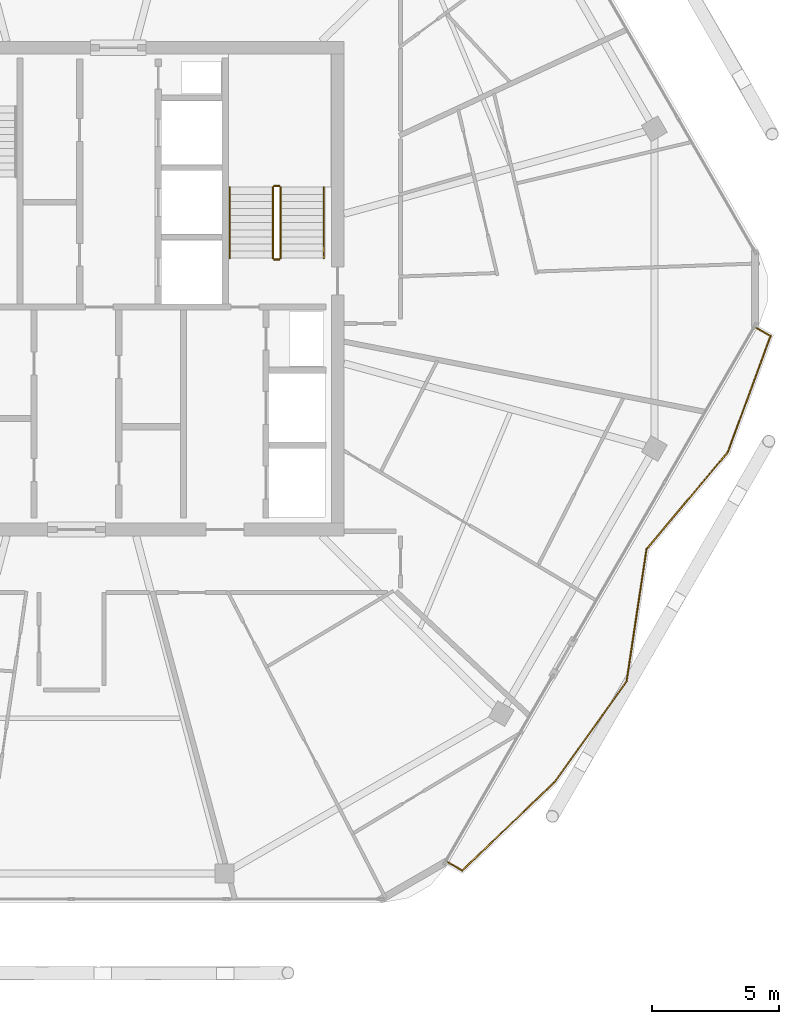
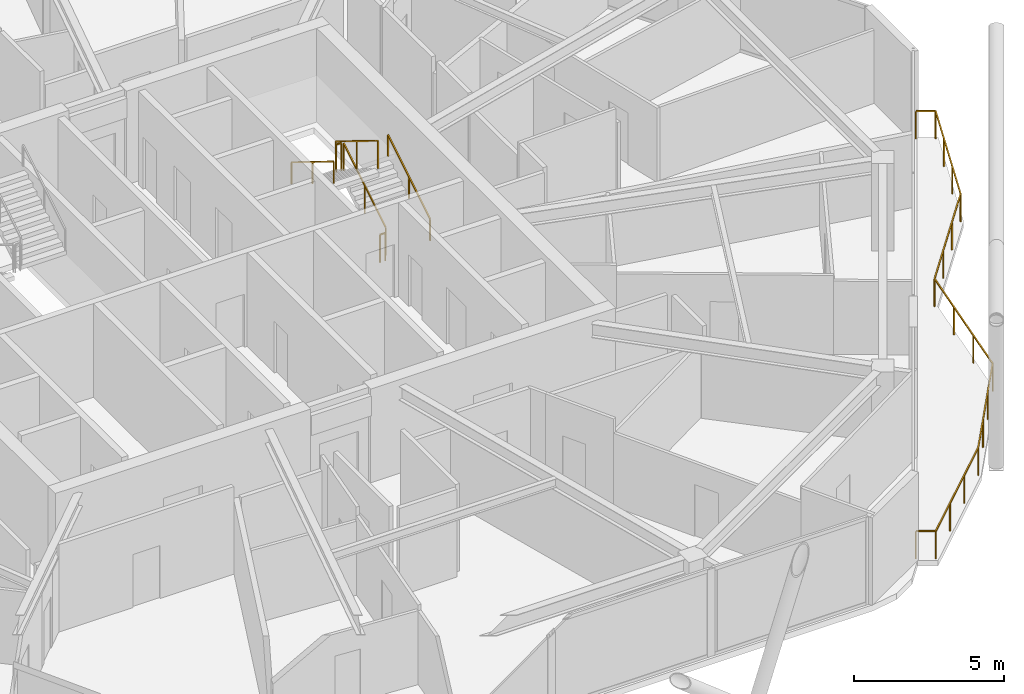
# One storey, part 23 of 24: 7 railings.
"""IFC4 building model written with IfcOpenShell, lengths in metres."""

from ifc_helpers import new_model, si_unit, direction, frame, origin, origin_2d, place, context, subcontext, project, spatial, rectangle, extrude, material, type_object, element, save


model = new_model("IFC4")

# Units and contexts
model_context = context("Model", 3, precision=1e-05, world=origin(), true_north=direction((0.0, 1.0)))
body_context = subcontext(model_context, "Body", "Model", "MODEL_VIEW")
ifc_project = project(units=[si_unit("LENGTHUNIT", "METRE"), si_unit("AREAUNIT", "SQUARE_METRE"), si_unit("VOLUMEUNIT", "CUBIC_METRE"), si_unit("PLANEANGLEUNIT", "RADIAN"), si_unit("MASSUNIT", "GRAM", prefix="KILO")], contexts=[model_context])

# Site, building, storey
site_placement = place(None, origin())
site = spatial("IfcSite", under=ifc_project, at=site_placement, CompositionType="ELEMENT")
building_placement = place(site_placement, origin())
building = spatial("IfcBuilding", under=site, at=building_placement, Name="Zuhravey Tower", CompositionType="ELEMENT")
storey_placement = place(building_placement, frame((0.0, 0.0, 338.60009765625)))
storey = spatial("IfcBuildingStorey", under=building, at=storey_placement, Name="L86", CompositionType="ELEMENT", Elevation=338.60009765625)

# Railings
ifc_material_1 = material(Name="Stainless steel 316 and laminated glass", Category="steel")
railing_type_1 = type_object("IfcRailingType", Name="Balcony & Terrace Guardrail 1150", PredefinedType="BALUSTRADE", material=ifc_material_1)
railing_1_placement = place(storey_placement, frame((63.006591796875, 30.45849609375, 0.0)))
element("IfcRailing", 1, at=railing_1_placement, inside=storey, type_object=railing_type_1, Name="L86 Face 6 Wave Balcony Guardrail GR1", PredefinedType="BALUSTRADE", context=body_context, shape_type="SweptSolid", body=[
    extrude(rectangle(XDim=0.048095703125, YDim=0.048095703125, at=origin_2d()), frame((0.001708984375, -0.0009765625, 1.1259765625), z_axis=(0.866011978186, -0.500023253097, 0.0), x_axis=(0.500023253097, 0.866011978186, 0.0)), (0.0, 0.0, 1.0), 0.651611328125),
    extrude(rectangle(XDim=0.048095703125, YDim=0.048095703125, at=origin_2d()), frame((0.567138671875, -0.329833984375, 1.1259765625), z_axis=(-0.345100004619, -0.938565920334, 0.0), x_axis=(0.938565920334, -0.345100004619, 0.0)), (0.0, 0.0, 1.0), 4.87451171875),
    extrude(rectangle(XDim=0.048095703125, YDim=0.048095703125, at=origin_2d()), frame((-1.116943359375, -4.908203125, 1.1259765625), z_axis=(-0.642465956821, -0.766314226884, 0.0), x_axis=(0.766314226884, -0.642465956821, 0.0)), (0.0, 0.0, 1.0), 4.9892578125),
    extrude(rectangle(XDim=0.048095703125, YDim=0.048095703125, at=origin_2d()), frame((-4.323974609375, -8.735107421875, 1.1259765625), z_axis=(-0.148808806895, -0.988865986365, 0.0), x_axis=(0.988865986365, -0.148808806895, 0.0)), (0.0, 0.0, 1.0), 5.272216796875),
    extrude(rectangle(XDim=0.048095703125, YDim=0.048095703125, at=origin_2d()), frame((-5.110107421875, -13.952392578125, 1.1259765625), z_axis=(-0.582138490766, -0.813089649159, 0.0), x_axis=(0.813089649159, -0.582138490766, 0.0)), (0.0, 0.0, 1.0), 4.8935546875),
    extrude(rectangle(XDim=0.048095703125, YDim=0.048095703125, at=origin_2d()), frame((-7.96142578125, -17.934326171875, 1.1259765625), z_axis=(-0.722523722414, -0.691346129337, 0.0), x_axis=(0.691346129337, -0.722523722414, 0.0)), (0.0, 0.0, 1.0), 5.023193359375),
    extrude(rectangle(XDim=0.048095703125, YDim=0.048095703125, at=origin_2d()), frame((-11.593994140625, -21.407470703125, 1.1259765625), z_axis=(-0.866020521143, 0.500008456887, 0.0), x_axis=(-0.500008456887, -0.866020521143, 0.0)), (0.0, 0.0, 1.0), 0.6611328125),
    extrude(rectangle(XDim=0.0419921875, YDim=0.0419921875, at=origin_2d()), origin(), (0.0, 0.0, 1.0), 1.099853515625),
    extrude(rectangle(XDim=0.0419921875, YDim=0.0419921875, at=origin_2d()), frame((0.56787109375, -0.327880859375, 0.0)), (0.0, 0.0, 1.0), 1.099853515625),
    extrude(rectangle(XDim=0.0419921875, YDim=0.0419921875, at=origin_2d()), frame((0.006591796875, -1.854248046875, 0.0)), (0.0, 0.0, 1.0), 1.099853515625),
    extrude(rectangle(XDim=0.0419921875, YDim=0.0419921875, at=origin_2d()), frame((-0.554443359375, -3.38037109375, 0.0)), (0.0, 0.0, 1.0), 1.099853515625),
    extrude(rectangle(XDim=0.0419921875, YDim=0.0419921875, at=origin_2d()), frame((-1.11572265625, -4.90673828125, 0.0)), (0.0, 0.0, 1.0), 1.099853515625),
    extrude(rectangle(XDim=0.0419921875, YDim=0.0419921875, at=origin_2d()), frame((-2.18505859375, -6.18212890625, 0.0)), (0.0, 0.0, 1.0), 1.099853515625),
    extrude(rectangle(XDim=0.0419921875, YDim=0.0419921875, at=origin_2d()), frame((-3.25439453125, -7.457763671875, 0.0)), (0.0, 0.0, 1.0), 1.099853515625),
    extrude(rectangle(XDim=0.0419921875, YDim=0.0419921875, at=origin_2d()), frame((-4.32373046875, -8.733154296875, 0.0)), (0.0, 0.0, 1.0), 1.099853515625),
    extrude(rectangle(XDim=0.0419921875, YDim=0.0419921875, at=origin_2d()), frame((-4.58544921875, -10.472412109375, 0.0)), (0.0, 0.0, 1.0), 1.099853515625),
    extrude(rectangle(XDim=0.0419921875, YDim=0.0419921875, at=origin_2d()), frame((-4.84716796875, -12.21142578125, 0.0)), (0.0, 0.0, 1.0), 1.099853515625),
    extrude(rectangle(XDim=0.0419921875, YDim=0.0419921875, at=origin_2d()), frame((-5.10888671875, -13.95068359375, 0.0)), (0.0, 0.0, 1.0), 1.099853515625),
    extrude(rectangle(XDim=0.0419921875, YDim=0.0419921875, at=origin_2d()), frame((-6.059326171875, -15.278076171875, 0.0)), (0.0, 0.0, 1.0), 1.099853515625),
    extrude(rectangle(XDim=0.0419921875, YDim=0.0419921875, at=origin_2d()), frame((-7.009521484375, -16.60546875, 0.0)), (0.0, 0.0, 1.0), 1.099853515625),
    extrude(rectangle(XDim=0.0419921875, YDim=0.0419921875, at=origin_2d()), frame((-7.9599609375, -17.932861328125, 0.0)), (0.0, 0.0, 1.0), 1.099853515625),
    extrude(rectangle(XDim=0.0419921875, YDim=0.0419921875, at=origin_2d()), frame((-9.170654296875, -19.09130859375, 0.0)), (0.0, 0.0, 1.0), 1.099853515625),
    extrude(rectangle(XDim=0.0419921875, YDim=0.0419921875, at=origin_2d()), frame((-10.381591796875, -20.25, 0.0)), (0.0, 0.0, 1.0), 1.099853515625),
    extrude(rectangle(XDim=0.0419921875, YDim=0.0419921875, at=origin_2d()), frame((-11.59228515625, -21.408447265625, 0.0)), (0.0, 0.0, 1.0), 1.099853515625),
    extrude(rectangle(XDim=0.0419921875, YDim=0.0419921875, at=origin_2d()), frame((-12.168212890625, -21.075927734375, 0.0)), (0.0, 0.0, 1.0), 1.099853515625),
])
ifc_material_2 = material(Name="Brushed stainless steel", Category="steel")
railing_type_2 = type_object("IfcRailingType", Name="Stair Wall Handrail 900", PredefinedType="HANDRAIL", material=ifc_material_2)
railing_2_placement = place(storey_placement, frame((45.949951171875, 33.199951171875, 0.172607421875)))
element("IfcRailing", 2, at=railing_2_placement, inside=storey, type_object=railing_type_2, Name="L86 ST2 stair handrail 1", PredefinedType="HANDRAIL", context=body_context, shape_type="SweptSolid", body=[
    extrude(rectangle(XDim=0.048095703125, YDim=0.048095703125, at=origin_2d()), frame((0.0, 0.001708984375, 0.876953125), z_axis=(0.0, 0.851089632645, 0.525020415988), x_axis=(-1.0, 0.0, 0.0)), (0.0, 0.0, 1.0), 3.285888671875),
    extrude(rectangle(XDim=0.0419921875, YDim=0.0419921875, at=origin_2d()), origin(), (0.0, 0.0, 1.0), 0.849853515625),
    extrude(rectangle(XDim=0.0419921875, YDim=0.0419921875, at=origin_2d()), frame((0.0, 1.39990234375, 0.86376953125)), (0.0, 0.0, 1.0), 0.849853515625),
    extrude(rectangle(XDim=0.0419921875, YDim=0.0419921875, at=origin_2d()), frame((0.0, 2.800048828125, 1.727294921875)), (0.0, 0.0, 1.0), 0.849853515625),
])
railing_3_placement = place(storey_placement, frame((42.25, 36.0, 2.072509765625)))
element("IfcRailing", 3, at=railing_3_placement, inside=storey, type_object=railing_type_2, Name="L86 ST2 stair handrail 2", PredefinedType="HANDRAIL", context=body_context, shape_type="SweptSolid", body=[
    extrude(rectangle(XDim=0.048095703125, YDim=0.048095703125, at=origin_2d()), frame((0.0, -0.001708984375, 0.876953125), z_axis=(0.0, -0.851089632645, 0.525020415988), x_axis=(1.0, 0.0, 0.0)), (0.0, 0.0, 1.0), 3.285888671875),
    extrude(rectangle(XDim=0.0419921875, YDim=0.0419921875, at=origin_2d()), origin(), (0.0, 0.0, 1.0), 0.849853515625),
    extrude(rectangle(XDim=0.0419921875, YDim=0.0419921875, at=origin_2d()), frame((0.0, -1.39990234375, 0.86376953125)), (0.0, 0.0, 1.0), 0.849853515625),
    extrude(rectangle(XDim=0.0419921875, YDim=0.0419921875, at=origin_2d()), frame((0.0, -2.800048828125, 1.727294921875)), (0.0, 0.0, 1.0), 0.849853515625),
])
ifc_material_3 = material(Name="Painted tubular steel", Category="steel")
railing_type_3 = type_object("IfcRailingType", Name="Stair Well Guardrail 1150", PredefinedType="GUARDRAIL", material=ifc_material_3)
railing_4_placement = place(storey_placement, frame((44.25, 33.199951171875, 0.172607421875)))
element("IfcRailing", 4, at=railing_4_placement, inside=storey, type_object=railing_type_3, Name="L86 ST2 stair guard 1", PredefinedType="GUARDRAIL", context=body_context, shape_type="SweptSolid", body=[
    extrude(rectangle(XDim=0.048095703125, YDim=0.048095703125, at=origin_2d()), frame((0.0, 0.001708984375, 1.126953125), z_axis=(0.0, 0.851089632645, 0.525020415988), x_axis=(-1.0, 0.0, 0.0)), (0.0, 0.0, 1.0), 3.285888671875),
    extrude(rectangle(XDim=0.0419921875, YDim=0.0419921875, at=origin_2d()), origin(), (0.0, 0.0, 1.0), 1.099853515625),
    extrude(rectangle(XDim=0.0419921875, YDim=0.0419921875, at=origin_2d()), frame((0.0, 1.39990234375, 0.86376953125)), (0.0, 0.0, 1.0), 1.099853515625),
    extrude(rectangle(XDim=0.0419921875, YDim=0.0419921875, at=origin_2d()), frame((0.0, 2.800048828125, 1.727294921875)), (0.0, 0.0, 1.0), 1.099853515625),
])
railing_5_placement = place(storey_placement, frame((44.199951171875, 36.050048828125, 1.89990234375)))
element("IfcRailing", 5, at=railing_5_placement, inside=storey, type_object=railing_type_3, Name="L86 ST2 stair guard 2", PredefinedType="GUARDRAIL", context=body_context, shape_type="SweptSolid", body=[
    extrude(rectangle(XDim=0.048095703125, YDim=0.048095703125, at=origin_2d()), frame((-0.001953125, 0.0, 1.1259765625), z_axis=(-1.0, 0.0, 0.0), x_axis=(0.0, -1.0, 0.0)), (0.0, 0.0, 1.0), 0.196044921875),
    extrude(rectangle(XDim=0.0419921875, YDim=0.0419921875, at=origin_2d()), origin(), (0.0, 0.0, 1.0), 1.099853515625),
    extrude(rectangle(XDim=0.0419921875, YDim=0.0419921875, at=origin_2d()), frame((-0.199951171875, 0.0, 0.0)), (0.0, 0.0, 1.0), 1.099853515625),
])
railing_6_placement = place(storey_placement, frame((43.949951171875, 36.0, 2.072509765625)))
element("IfcRailing", 6, at=railing_6_placement, inside=storey, type_object=railing_type_3, Name="L86 ST2 stair guard 3", PredefinedType="GUARDRAIL", context=body_context, shape_type="SweptSolid", body=[
    extrude(rectangle(XDim=0.048095703125, YDim=0.048095703125, at=origin_2d()), frame((0.0, -0.001708984375, 1.126953125), z_axis=(0.0, -0.851089632645, 0.525020415988), x_axis=(1.0, 0.0, 0.0)), (0.0, 0.0, 1.0), 3.285888671875),
    extrude(rectangle(XDim=0.0419921875, YDim=0.0419921875, at=origin_2d()), origin(), (0.0, 0.0, 1.0), 1.099853515625),
    extrude(rectangle(XDim=0.0419921875, YDim=0.0419921875, at=origin_2d()), frame((0.0, -1.39990234375, 0.86376953125)), (0.0, 0.0, 1.0), 1.099853515625),
    extrude(rectangle(XDim=0.0419921875, YDim=0.0419921875, at=origin_2d()), frame((0.0, -2.800048828125, 1.727294921875)), (0.0, 0.0, 1.0), 1.099853515625),
])
railing_7_placement = place(storey_placement, frame((44.199951171875, 33.14990234375, 0.0)))
element("IfcRailing", 7, at=railing_7_placement, inside=storey, type_object=railing_type_3, Name="L86 ST2 stair guard 4", PredefinedType="GUARDRAIL", context=body_context, shape_type="SweptSolid", body=[
    extrude(rectangle(XDim=0.048095703125, YDim=0.048095703125, at=origin_2d()), frame((-0.001953125, 0.0, 1.1259765625), z_axis=(-1.0, 0.0, 0.0), x_axis=(0.0, -1.0, 0.0)), (0.0, 0.0, 1.0), 0.196044921875),
    extrude(rectangle(XDim=0.0419921875, YDim=0.0419921875, at=origin_2d()), origin(), (0.0, 0.0, 1.0), 1.099853515625),
    extrude(rectangle(XDim=0.0419921875, YDim=0.0419921875, at=origin_2d()), frame((-0.199951171875, 0.0, 0.0)), (0.0, 0.0, 1.0), 1.099853515625),
])

save(model, "model.ifc")
